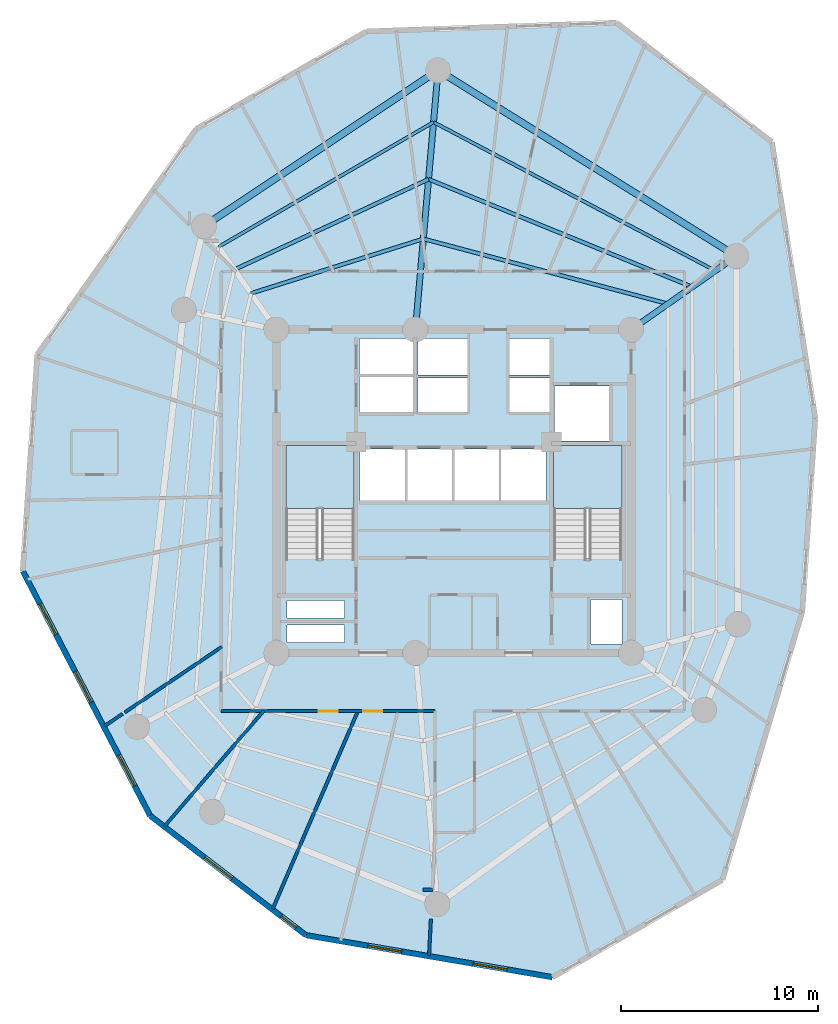
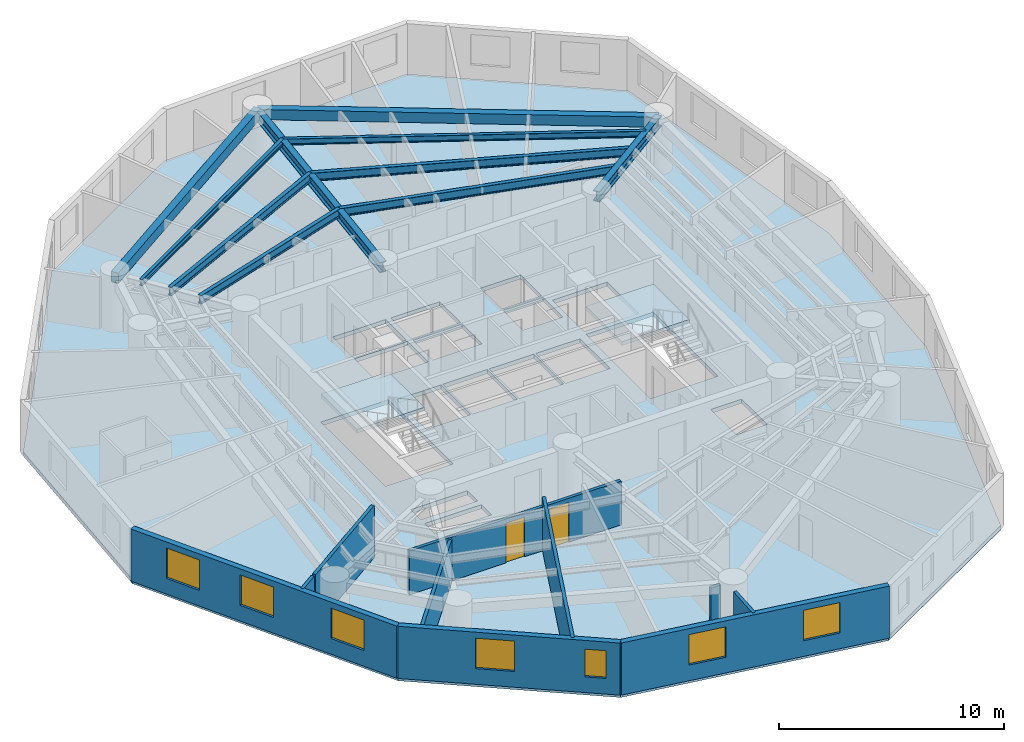
# One storey, part 2 of 8: 10 beams, 10 walls, 7 windows, 3 slabs, 2 doors, 9 openings, 2 elements without a shape of their own.
"""IFC4 building model written with IfcOpenShell, lengths in metres."""

from ifc_helpers import new_model, si_unit, direction, frame, frame_2d, origin, origin_with_axes, origin_2d, place, context, subcontext, project, spatial, polyline, rectangle, i_section, outline, extrude, source, transform, mapped, material, layer, layer_set, material_profile, profile_set, type_object, element, fill, aggregate, save


model = new_model("IFC4")

# Units and contexts
model_context = context("Model", 3, precision=1e-05, world=origin(), true_north=direction((0.0, 1.0)))
body_context = subcontext(model_context, "Body", "Model", "MODEL_VIEW")
ifc_project = project(units=[si_unit("LENGTHUNIT", "METRE"), si_unit("AREAUNIT", "SQUARE_METRE"), si_unit("VOLUMEUNIT", "CUBIC_METRE"), si_unit("PLANEANGLEUNIT", "RADIAN"), si_unit("MASSUNIT", "GRAM", prefix="KILO")], contexts=[model_context])

# Site, building, storey
site_placement = place(None, origin())
site = spatial("IfcSite", under=ifc_project, at=site_placement, CompositionType="ELEMENT")
building_placement = place(site_placement, origin())
building = spatial("IfcBuilding", under=site, at=building_placement, Name="Karkom Vertical University and Central Library", CompositionType="ELEMENT")
storey_placement = place(building_placement, frame((0.0, 0.0, 177.89990234375)))
storey = spatial("IfcBuildingStorey", under=building, at=storey_placement, Name="L51", CompositionType="ELEMENT", Elevation=177.89990234375)

# Beams
ifc_material_1 = material(Name="Precast concrete C45/55", Category="concrete")
ifc_material_profile_1 = material_profile(ifc_material_1, rectangle(XDim=0.35009765625, YDim=0.550048828125, at=origin_2d()), Name="SPB-350x550")
ifc_profile_set_1 = profile_set([ifc_material_profile_1], Name="Precast concrete C45/55")
beam_type_1 = type_object("IfcBeamType", Name="STR-BM-SP-2", PredefinedType="SPANDREL", material=ifc_profile_set_1)
shared_shape_1 = source(origin_with_axes(), body_context, "Body", "SweptSolid", [
    extrude(rectangle(XDim=0.35009765625, YDim=0.550048828125, at=origin_2d()), origin(), (0.0, 0.0, 1.0), 17.81884765625),
])
beam_1_placement = place(storey_placement, frame((42.823974609375, 38.427978515625, 2.550048828125), z_axis=(-0.848764070164, 0.528771740167, 0.0), x_axis=(-0.528771740167, -0.848764070164, 0.0)))
element("IfcBeam", 1, at=beam_1_placement, inside=storey, type_object=beam_type_1, Name="Level 51 Perimeter Spandrel Beam 02", PredefinedType="SPANDREL", context=body_context, shape_type="MappedRepresentation", body=[
    mapped(shared_shape_1, transform((0.0, 0.0, 0.0), scale=1.0)),
])
shared_shape_2 = source(origin_with_axes(), body_context, "Body", "SweptSolid", [
    extrude(rectangle(XDim=0.35009765625, YDim=0.550048828125, at=origin_2d()), origin(), (0.0, 0.0, 1.0), 14.26318359375),
])
beam_2_placement = place(storey_placement, frame((27.699951171875, 47.85009765625, 2.550048828125), z_axis=(-0.83227406272, -0.554364396876, 0.0), x_axis=(0.554364396876, -0.83227406272, 0.0)))
element("IfcBeam", 2, at=beam_2_placement, inside=storey, type_object=beam_type_1, Name="Level 51 Perimeter Spandrel Beam 03", PredefinedType="SPANDREL", context=body_context, shape_type="MappedRepresentation", body=[
    mapped(shared_shape_2, transform((0.0, 0.0, 0.0), scale=1.0)),
])
ifc_material_2 = material(Name="Steel S355", Category="steel")
ifc_material_profile_2 = material_profile(ifc_material_2, i_section(OverallWidth=0.18994140625, OverallDepth=0.449951171875, WebThickness=0.009521484375, FlangeThickness=0.0146484375, FilletRadius=0.02099609375, at=origin_2d()), Name="IPE 450")
ifc_profile_set_2 = profile_set([ifc_material_profile_2], Name="Steel S355")
beam_type_2 = type_object("IfcBeamType", Name="STR-BM-SB-IPE450", PredefinedType="BEAM", material=ifc_profile_set_2)
shared_shape_3 = source(origin_with_axes(), body_context, "Body", "SweptSolid", [
    extrude(i_section(OverallWidth=0.18994140625, OverallDepth=0.449951171875, WebThickness=0.009521484375, FlangeThickness=0.0146484375, FilletRadius=0.02099609375, at=origin_2d()), origin(), (0.0, 0.0, 1.0), 12.841552734375),
])
beam_3_placement = place(storey_placement, frame((39.36328125, 36.0048828125, 2.60009765625), z_axis=(-0.96646647674, 0.256792814032, 0.0), x_axis=(-0.256792814032, -0.96646647674, 0.0)))
element("IfcBeam", 3, at=beam_3_placement, inside=storey, type_object=beam_type_2, Name="Level 51 Secondary Composite Floor Beam 1.02", PredefinedType="BEAM", context=body_context, shape_type="MappedRepresentation", body=[
    mapped(shared_shape_3, transform((0.0, 0.0, 0.0), scale=1.0)),
])
shared_shape_4 = source(origin_with_axes(), body_context, "Body", "SweptSolid", [
    extrude(i_section(OverallWidth=0.18994140625, OverallDepth=0.449951171875, WebThickness=0.009521484375, FlangeThickness=0.0146484375, FilletRadius=0.02099609375, at=origin_2d()), origin(), (0.0, 0.0, 1.0), 9.1650390625),
])
beam_4_placement = place(storey_placement, frame((26.952392578125, 39.302490234375, 2.60009765625), z_axis=(-0.953318200449, -0.301967562319, 0.0), x_axis=(0.301967562319, -0.953318200449, 0.0)))
element("IfcBeam", 4, at=beam_4_placement, inside=storey, type_object=beam_type_2, Name="Level 51 Secondary Composite Floor Beam 1.03", PredefinedType="BEAM", context=body_context, shape_type="MappedRepresentation", body=[
    mapped(shared_shape_4, transform((0.0, 0.0, 0.0), scale=1.0)),
])
shared_shape_5 = source(origin_with_axes(), body_context, "Body", "SweptSolid", [
    extrude(i_section(OverallWidth=0.18994140625, OverallDepth=0.449951171875, WebThickness=0.009521484375, FlangeThickness=0.0146484375, FilletRadius=0.02099609375, at=origin_2d()), origin(), (0.0, 0.0, 1.0), 14.4443359375),
])
beam_5_placement = place(storey_placement, frame((40.587890625, 36.8623046875, 2.60009765625), z_axis=(-0.925675328736, 0.378318894281, 0.0), x_axis=(-0.378318894281, -0.925675328736, 0.0)))
element("IfcBeam", 5, at=beam_5_placement, inside=storey, type_object=beam_type_2, Name="Level 51 Secondary Composite Floor Beam 2.02", PredefinedType="BEAM", context=body_context, shape_type="MappedRepresentation", body=[
    mapped(shared_shape_5, transform((0.0, 0.0, 0.0), scale=1.0)),
])
shared_shape_6 = source(origin_with_axes(), body_context, "Body", "SweptSolid", [
    extrude(i_section(OverallWidth=0.18994140625, OverallDepth=0.449951171875, WebThickness=0.009521484375, FlangeThickness=0.0146484375, FilletRadius=0.02099609375, at=origin_2d()), origin(), (0.0, 0.0, 1.0), 10.86181640625),
])
beam_6_placement = place(storey_placement, frame((27.217041015625, 42.326904296875, 2.60009765625), z_axis=(-0.90649871419, -0.422208575436, 0.0), x_axis=(0.422208575436, -0.90649871419, 0.0)))
element("IfcBeam", 6, at=beam_6_placement, inside=storey, type_object=beam_type_2, Name="Level 51 Secondary Composite Floor Beam 2.03", PredefinedType="BEAM", context=body_context, shape_type="MappedRepresentation", body=[
    mapped(shared_shape_6, transform((0.0, 0.0, 0.0), scale=1.0)),
])
ifc_material_profile_3 = material_profile(ifc_material_2, i_section(OverallWidth=0.159912109375, OverallDepth=0.330078125, WebThickness=0.007568359375, FlangeThickness=0.011474609375, FilletRadius=0.01806640625, at=origin_2d()), Name="IPE 330")
ifc_profile_set_3 = profile_set([ifc_material_profile_3], Name="Steel S355")
beam_type_3 = type_object("IfcBeamType", Name="STR-BM-SB-IPE330", PredefinedType="BEAM", material=ifc_profile_set_3)
shared_shape_7 = source(origin_with_axes(), body_context, "Body", "SweptSolid", [
    extrude(i_section(OverallWidth=0.159912109375, OverallDepth=0.330078125, WebThickness=0.007568359375, FlangeThickness=0.011474609375, FilletRadius=0.01806640625, at=origin_2d()), origin(), (0.0, 0.0, 1.0), 16.155517578125),
])
beam_7_placement = place(storey_placement, frame((41.75927734375, 37.682373046875, 2.66015625), z_axis=(-0.884486447848, 0.466565883423, 0.0), x_axis=(-0.466565883423, -0.884486447848, 0.0)))
element("IfcBeam", 7, at=beam_7_placement, inside=storey, type_object=beam_type_3, Name="Level 51 Secondary Composite Floor Beam 3.02", PredefinedType="BEAM", context=body_context, shape_type="MappedRepresentation", body=[
    mapped(shared_shape_7, transform((0.0, 0.0, 0.0), scale=1.0)),
])
shared_shape_8 = source(origin_with_axes(), body_context, "Body", "SweptSolid", [
    extrude(i_section(OverallWidth=0.159912109375, OverallDepth=0.330078125, WebThickness=0.007568359375, FlangeThickness=0.011474609375, FilletRadius=0.01806640625, at=origin_2d()), origin(), (0.0, 0.0, 1.0), 12.6083984375),
])
beam_8_placement = place(storey_placement, frame((27.469970703125, 45.219970703125, 2.66015625), z_axis=(-0.865038920595, -0.50170475965, 0.0), x_axis=(0.50170475965, -0.865038920595, 0.0)))
element("IfcBeam", 8, at=beam_8_placement, inside=storey, type_object=beam_type_3, Name="Level 51 Secondary Composite Floor Beam 3.03", PredefinedType="BEAM", context=body_context, shape_type="MappedRepresentation", body=[
    mapped(shared_shape_8, transform((0.0, 0.0, 0.0), scale=1.0)),
])
ifc_material_profile_4 = material_profile(ifc_material_2, i_section(OverallWidth=0.300048828125, OverallDepth=0.550048828125, WebThickness=0.014892578125, FlangeThickness=0.029052734375, FilletRadius=0.027099609375, at=origin_2d()), Name="HE 550 B")
ifc_profile_set_4 = profile_set([ifc_material_profile_4], Name="Steel S355")
beam_type_4 = type_object("IfcBeamType", Name="STR-BM-SB-HE550", PredefinedType="USERDEFINED", material=ifc_profile_set_4)
shared_shape_9 = source(origin_with_axes(), body_context, "Body", "SweptSolid", [
    extrude(i_section(OverallWidth=0.300048828125, OverallDepth=0.550048828125, WebThickness=0.014892578125, FlangeThickness=0.029052734375, FilletRadius=0.027099609375, at=origin_2d()), origin(), (0.0, 0.0, 1.0), 6.49951171875),
])
beam_9_placement = place(storey_placement, frame((37.5, 34.699951171875, 2.550048828125), z_axis=(0.819141909878, 0.573590909517, 0.0), x_axis=(-0.573590909517, 0.819141909878, 0.0)))
element("IfcBeam", 9, at=beam_9_placement, inside=storey, type_object=beam_type_4, Name="Level 51 Radial Frame Girder 02", ObjectType="GIRDER", PredefinedType="USERDEFINED", context=body_context, shape_type="MappedRepresentation", body=[
    mapped(shared_shape_9, transform((0.0, 0.0, 0.0), scale=1.0)),
])
shared_shape_10 = source(origin_with_axes(), body_context, "Body", "SweptSolid", [
    extrude(i_section(OverallWidth=0.300048828125, OverallDepth=0.550048828125, WebThickness=0.014892578125, FlangeThickness=0.029052734375, FilletRadius=0.027099609375, at=origin_2d()), origin(), (0.0, 0.0, 1.0), 13.200439453125),
])
beam_10_placement = place(storey_placement, frame((26.550048828125, 34.699951171875, 2.550048828125), z_axis=(0.087111657164, 0.996198554098, 0.0), x_axis=(-0.996198554098, 0.087111657164, 0.0)))
element("IfcBeam", 10, at=beam_10_placement, inside=storey, type_object=beam_type_4, Name="Level 51 Radial Frame Girder 03", ObjectType="GIRDER", PredefinedType="USERDEFINED", context=body_context, shape_type="MappedRepresentation", body=[
    mapped(shared_shape_10, transform((0.0, 0.0, 0.0), scale=1.0)),
])

# Stair, slab
ifc_material_3 = material(Name="Concrete C45/55", Category="concrete")
stair_type = type_object("IfcStairType", Name="INT-STR-ST-MAIN", PredefinedType="HALF_TURN_STAIR", material=ifc_material_3)
stair_1_placement = place(storey_placement, origin())
stair_1 = element("IfcStair", 11, at=stair_1_placement, inside=storey, type_object=stair_type, Name="Level 51 Tower Protected Exit Stair ST-1", PredefinedType="HALF_TURN_STAIR")
ifc_layer_1 = layer(ifc_material_3, 0.199951171875)
ifc_layer_set_1 = layer_set([ifc_layer_1], Name="Concrete C45/55")
slab_type_1 = type_object("IfcSlabType", Name="INT-SLB-LANDING", PredefinedType="LANDING", material=ifc_layer_set_1)
slab_1_placement = place(storey_placement, frame((0.0, 0.0, 1.3251953125)))
slab_1 = element("IfcSlab", 12, at=slab_1_placement, type_object=slab_type_1, Name="ST-1 landing 1", PredefinedType="LANDING", context=body_context, shape_type="SweptSolid", body=[
    extrude(outline(polyline([(23.43994140625, 25.6298828125), (23.43994140625, 28.820068359375), (19.97998046875, 28.820068359375), (19.97998046875, 25.6298828125), (23.43994140625, 25.6298828125)])), origin(), (0.0, 0.0, 1.0), 0.199951171875),
])
aggregate(stair_1, [slab_1])

stair_2_placement = place(storey_placement, origin())
stair_2 = element("IfcStair", 13, at=stair_2_placement, inside=storey, type_object=stair_type, Name="Level 51 Tower Protected Exit Stair ST-2", PredefinedType="HALF_TURN_STAIR")
slab_2_placement = place(storey_placement, frame((0.0, 0.0, 1.3251953125)))
slab_2 = element("IfcSlab", 14, at=slab_2_placement, type_object=slab_type_1, Name="ST-2 landing 1", PredefinedType="LANDING", context=body_context, shape_type="SweptSolid", body=[
    extrude(outline(polyline([(37.02001953125, 25.6298828125), (37.02001953125, 28.820068359375), (33.56005859375, 28.820068359375), (33.56005859375, 25.6298828125), (37.02001953125, 25.6298828125)])), origin(), (0.0, 0.0, 1.0), 0.199951171875),
])
aggregate(stair_2, [slab_2])

# Slab
ifc_layer_2 = layer(ifc_material_3, 0.22509765625)
ifc_layer_set_2 = layer_set([ifc_layer_2], Name="Concrete C45/55")
slab_type_2 = type_object("IfcSlabType", Name="STR-SLB-FLR-225", PredefinedType="FLOOR", material=ifc_layer_set_2)
slab_3_placement = place(storey_placement, frame((0.0, 0.0, -0.224853515625)))
element("IfcSlab", 15, at=slab_3_placement, inside=storey, type_object=slab_type_2, Name="Level 51 Tower Structural Floor Slab", PredefinedType="FLOOR", context=body_context, shape_type="SweptSolid", body=[
    extrude(outline(polyline([(7.372802734375, 33.436279296875), (6.635498046875, 22.44970703125), (13.09375, 10.0400390625), (20.99609375, 3.979736328125), (33.49609375, 1.85009765625), (42.119140625, 6.789306640625), (46.169677734375, 20.38720703125), (46.828125, 30.196533203125), (44.631103515625, 44.2138671875), (36.74560546875, 50.26123046875), (24.072998046875, 49.821044921875), (15.431640625, 44.87109375), (7.372802734375, 33.436279296875)]), holes=[polyline([(19.97998046875, 23.0849609375), (23.43994140625, 23.0849609375), (23.43994140625, 28.820068359375), (19.97998046875, 28.820068359375), (19.97998046875, 23.0849609375)]), polyline([(33.56005859375, 23.0849609375), (37.02001953125, 23.0849609375), (37.02001953125, 28.820068359375), (33.56005859375, 28.820068359375), (33.56005859375, 23.0849609375)]), polyline([(23.75, 26.0), (26.030029296875, 26.0), (26.030029296875, 28.64990234375), (23.75, 28.64990234375), (23.75, 26.0)]), polyline([(26.1298828125, 26.0), (28.409912109375, 26.0), (28.409912109375, 28.64990234375), (26.1298828125, 28.64990234375), (26.1298828125, 26.0)]), polyline([(28.510009765625, 26.0), (30.7900390625, 26.0), (30.7900390625, 28.64990234375), (28.510009765625, 28.64990234375), (28.510009765625, 26.0)]), polyline([(30.889892578125, 26.0), (33.169921875, 26.0), (33.169921875, 28.64990234375), (30.889892578125, 28.64990234375), (30.889892578125, 26.0)]), polyline([(26.679931640625, 30.5), (29.199951171875, 30.5), (29.199951171875, 32.25), (26.679931640625, 32.25), (26.679931640625, 30.5)]), polyline([(26.679931640625, 32.39990234375), (29.199951171875, 32.39990234375), (29.199951171875, 34.25), (26.679931640625, 34.25), (26.679931640625, 32.39990234375)]), polyline([(31.300048828125, 30.5), (33.35009765625, 30.5), (33.35009765625, 32.25), (31.300048828125, 32.25), (31.300048828125, 30.5)]), polyline([(31.300048828125, 32.39990234375), (33.35009765625, 32.39990234375), (33.35009765625, 34.25), (31.300048828125, 34.25), (31.300048828125, 32.39990234375)]), polyline([(23.719970703125, 30.47998046875), (26.429931640625, 30.47998046875), (26.429931640625, 32.320068359375), (23.719970703125, 32.320068359375), (23.719970703125, 30.47998046875)]), polyline([(23.719970703125, 32.419921875), (26.429931640625, 32.419921875), (26.429931640625, 34.260009765625), (23.719970703125, 34.260009765625), (23.719970703125, 32.419921875)]), polyline([(33.60009765625, 29.050048828125), (36.39990234375, 29.050048828125), (36.39990234375, 31.85009765625), (33.60009765625, 31.85009765625), (33.60009765625, 29.050048828125)]), polyline([(20.050048828125, 18.820068359375), (22.949951171875, 18.820068359375), (22.949951171875, 19.719970703125), (20.050048828125, 19.719970703125), (20.050048828125, 18.820068359375)]), polyline([(20.050048828125, 20.06005859375), (22.949951171875, 20.06005859375), (22.949951171875, 20.9599609375), (20.050048828125, 20.9599609375), (20.050048828125, 20.06005859375)]), polyline([(35.4599609375, 18.760009765625), (37.0400390625, 18.760009765625), (37.0400390625, 21.010009765625), (35.4599609375, 21.010009765625), (35.4599609375, 18.760009765625)])]), origin(), (0.0, 0.0, 1.0), 0.224853515625),
])

# Wall, openings, windows
ifc_material_4 = material(Name="Brick-faced precast concrete C45/55", Category="masonry")
ifc_layer_3 = layer(ifc_material_4, 0.280029296875)
ifc_layer_set_3 = layer_set([ifc_layer_3], Name="Brick-faced precast concrete C45/55")
wall_type_1 = type_object("IfcWallType", Name="ENV-WL-BRK-280", PredefinedType="SOLIDWALL", material=ifc_layer_set_3)
wall_1_placement = place(storey_placement, frame((6.635498046875, 22.44970703125, 0.0), z_axis=(0.0, 0.0, 1.0), x_axis=(0.461646684745, -0.887063886349, 0.0)))
wall_1 = element("IfcWall", 16, at=wall_1_placement, inside=storey, type_object=wall_type_1, Name="Level 51 Brick-Faced Precast Facade Wall 02", PredefinedType="SOLIDWALL", context=body_context, shape_type="SweptSolid", body=[
    extrude(rectangle(XDim=13.989501953125, YDim=0.280029296875, at=frame_2d((6.99462890625, 0.0))), origin(), (0.0, 0.0, 1.0), 2.8251953125),
])
opening_1_placement = place(wall_1_placement, frame((1.87548828125, 0.0, 0.85009765625)))
opening_1 = element("IfcOpeningElement", 17, at=opening_1_placement, cuts=wall_1, Name="Opening WN-08", PredefinedType="OPENING", context=body_context, shape_type="SweptSolid", body=[
    extrude(rectangle(XDim=1.75, YDim=1.64990234375, at=frame_2d((0.875, 0.824951171875))), frame((0.0, 0.14990234375, 0.0), z_axis=(0.0, -1.0, 0.0), x_axis=(1.0, 0.0, 0.0)), (0.0, 0.0, 1.0), 0.300048828125),
])
opening_2_placement = place(wall_1_placement, frame((5.752197265625, 0.0, 0.85009765625)))
opening_2 = element("IfcOpeningElement", 18, at=opening_2_placement, cuts=wall_1, Name="Opening WN-08", PredefinedType="OPENING", context=body_context, shape_type="SweptSolid", body=[
    extrude(rectangle(XDim=1.75, YDim=1.64990234375, at=frame_2d((0.875, 0.824951171875))), frame((0.0, 0.14990234375, 0.0), z_axis=(0.0, -1.0, 0.0), x_axis=(1.0, 0.0, 0.0)), (0.0, 0.0, 1.0), 0.300048828125),
])
opening_3_placement = place(wall_1_placement, frame((10.53271484375, 0.0, 0.85009765625)))
opening_3 = element("IfcOpeningElement", 19, at=opening_3_placement, cuts=wall_1, Name="Opening WN-08", PredefinedType="OPENING", context=body_context, shape_type="SweptSolid", body=[
    extrude(rectangle(XDim=1.75, YDim=1.64990234375, at=frame_2d((0.875, 0.824951171875))), frame((0.0, 0.14990234375, 0.0), z_axis=(0.0, -1.0, 0.0), x_axis=(1.0, 0.0, 0.0)), (0.0, 0.0, 1.0), 0.300048828125),
])
ifc_material_5 = material(Name="Aluminium thermal-break frame with solar-control IGU", Category="aluminium")
window_type_1 = type_object("IfcWindowType", Name="ENV-WIN-WN-08", PartitioningType="SINGLE_PANEL", PredefinedType="WINDOW", material=ifc_material_5)
shared_shape_11 = source(origin_with_axes(), body_context, "Body", "SweptSolid", [
    extrude(rectangle(XDim=1.75, YDim=1.64990234375, at=frame_2d((0.875, 0.824951171875))), frame((0.0, 0.030029296875, 0.0), z_axis=(0.0, -1.0, 0.0), x_axis=(1.0, 0.0, 0.0)), (0.0, 0.0, 1.0), 0.06005859375),
])
window_1_placement = place(opening_1_placement, origin())
window_1 = element("IfcWindow", 20, at=window_1_placement, inside=storey, type_object=window_type_1, Name="Level 51 Punched Window 2.1", OverallHeight=1.64990234375, OverallWidth=1.75, PartitioningType="SINGLE_PANEL", PredefinedType="WINDOW", context=body_context, shape_type="MappedRepresentation", body=[
    mapped(shared_shape_11, transform((0.0, 0.0, 0.0), scale=1.0)),
])
fill(opening_1, window_1)
window_2_placement = place(opening_2_placement, origin())
window_2 = element("IfcWindow", 21, at=window_2_placement, inside=storey, type_object=window_type_1, Name="Level 51 Punched Window 2.2", OverallHeight=1.64990234375, OverallWidth=1.75, PartitioningType="SINGLE_PANEL", PredefinedType="WINDOW", context=body_context, shape_type="MappedRepresentation", body=[
    mapped(shared_shape_11, transform((0.0, 0.0, 0.0), scale=1.0)),
])
fill(opening_2, window_2)
window_3_placement = place(opening_3_placement, origin())
window_3 = element("IfcWindow", 22, at=window_3_placement, inside=storey, type_object=window_type_1, Name="Level 51 Punched Window 2.3", OverallHeight=1.64990234375, OverallWidth=1.75, PartitioningType="SINGLE_PANEL", PredefinedType="WINDOW", context=body_context, shape_type="MappedRepresentation", body=[
    mapped(shared_shape_11, transform((0.0, 0.0, 0.0), scale=1.0)),
])
fill(opening_3, window_3)

wall_2_placement = place(storey_placement, frame((13.09375, 10.0400390625, 0.0), z_axis=(0.0, 0.0, 1.0), x_axis=(0.793517177481, -0.608547852713, 0.0)))
wall_2 = element("IfcWall", 23, at=wall_2_placement, inside=storey, type_object=wall_type_1, Name="Level 51 Brick-Faced Precast Facade Wall 03", PredefinedType="SOLIDWALL", context=body_context, shape_type="SweptSolid", body=[
    extrude(rectangle(XDim=9.958740234375, YDim=0.280029296875, at=frame_2d((4.9794921875, 0.0))), origin(), (0.0, 0.0, 1.0), 2.8251953125),
])
opening_4_placement = place(wall_2_placement, frame((3.47998046875, 0.0, 0.85009765625)))
opening_4 = element("IfcOpeningElement", 24, at=opening_4_placement, cuts=wall_2, Name="Opening WN-08", PredefinedType="OPENING", context=body_context, shape_type="SweptSolid", body=[
    extrude(rectangle(XDim=1.75, YDim=1.64990234375, at=frame_2d((0.875, 0.824951171875))), frame((0.0, 0.14990234375, 0.0), z_axis=(0.0, -1.0, 0.0), x_axis=(1.0, 0.0, 0.0)), (0.0, 0.0, 1.0), 0.300048828125),
])
opening_5_placement = place(wall_2_placement, frame((8.3759765625, 0.0, 0.85009765625)))
opening_5 = element("IfcOpeningElement", 25, at=opening_5_placement, cuts=wall_2, Name="Opening WN-12", PredefinedType="OPENING", context=body_context, shape_type="SweptSolid", body=[
    extrude(rectangle(XDim=0.949951171875, YDim=1.5, at=frame_2d((0.47509765625, 0.75))), frame((0.0, 0.14990234375, 0.0), z_axis=(0.0, -1.0, 0.0), x_axis=(1.0, 0.0, 0.0)), (0.0, 0.0, 1.0), 0.300048828125),
])
window_type_2 = type_object("IfcWindowType", Name="ENV-WIN-WN-12", PartitioningType="SINGLE_PANEL", PredefinedType="WINDOW", material=ifc_material_5)
shared_shape_12 = source(origin_with_axes(), body_context, "Body", "SweptSolid", [
    extrude(rectangle(XDim=0.949951171875, YDim=1.5, at=frame_2d((0.47509765625, 0.75))), frame((0.0, 0.030029296875, 0.0), z_axis=(0.0, -1.0, 0.0), x_axis=(1.0, 0.0, 0.0)), (0.0, 0.0, 1.0), 0.06005859375),
])
window_4_placement = place(opening_5_placement, origin())
window_4 = element("IfcWindow", 26, at=window_4_placement, inside=storey, type_object=window_type_2, Name="Level 51 Punched Window 3.2", OverallHeight=1.5, OverallWidth=0.949951171875, PartitioningType="SINGLE_PANEL", PredefinedType="WINDOW", context=body_context, shape_type="MappedRepresentation", body=[
    mapped(shared_shape_12, transform((0.0, 0.0, 0.0), scale=1.0)),
])
fill(opening_5, window_4)
window_5_placement = place(opening_4_placement, origin())
window_5 = element("IfcWindow", 27, at=window_5_placement, inside=storey, type_object=window_type_1, Name="Level 51 Punched Window 3.1", OverallHeight=1.64990234375, OverallWidth=1.75, PartitioningType="SINGLE_PANEL", PredefinedType="WINDOW", context=body_context, shape_type="MappedRepresentation", body=[
    mapped(shared_shape_11, transform((0.0, 0.0, 0.0), scale=1.0)),
])
fill(opening_4, window_5)

wall_3_placement = place(storey_placement, frame((20.99609375, 3.979736328125, 0.0), z_axis=(0.0, 0.0, 1.0), x_axis=(0.985795339536, -0.16795103021, 0.0)))
wall_3 = element("IfcWall", 28, at=wall_3_placement, inside=storey, type_object=wall_type_1, Name="Level 51 Brick-Faced Precast Facade Wall 04", PredefinedType="SOLIDWALL", context=body_context, shape_type="SweptSolid", body=[
    extrude(rectangle(XDim=12.68017578125, YDim=0.280029296875, at=frame_2d((6.340087890625, 0.0))), origin(), (0.0, 0.0, 1.0), 2.8251953125),
])
opening_6_placement = place(wall_3_placement, frame((3.182861328125, 0.0, 0.85009765625)))
opening_6 = element("IfcOpeningElement", 29, at=opening_6_placement, cuts=wall_3, Name="Opening WN-08", PredefinedType="OPENING", context=body_context, shape_type="SweptSolid", body=[
    extrude(rectangle(XDim=1.75, YDim=1.64990234375, at=frame_2d((0.875, 0.824951171875))), frame((0.0, 0.14990234375, 0.0), z_axis=(0.0, -1.0, 0.0), x_axis=(1.0, 0.0, 0.0)), (0.0, 0.0, 1.0), 0.300048828125),
])
opening_7_placement = place(wall_3_placement, frame((8.598388671875, 0.0, 0.85009765625)))
opening_7 = element("IfcOpeningElement", 30, at=opening_7_placement, cuts=wall_3, Name="Opening WN-08", PredefinedType="OPENING", context=body_context, shape_type="SweptSolid", body=[
    extrude(rectangle(XDim=1.75, YDim=1.64990234375, at=frame_2d((0.875, 0.824951171875))), frame((0.0, 0.14990234375, 0.0), z_axis=(0.0, -1.0, 0.0), x_axis=(1.0, 0.0, 0.0)), (0.0, 0.0, 1.0), 0.300048828125),
])
window_6_placement = place(opening_6_placement, origin())
window_6 = element("IfcWindow", 31, at=window_6_placement, inside=storey, type_object=window_type_1, Name="Level 51 Punched Window 4.1", OverallHeight=1.64990234375, OverallWidth=1.75, PartitioningType="SINGLE_PANEL", PredefinedType="WINDOW", context=body_context, shape_type="MappedRepresentation", body=[
    mapped(shared_shape_11, transform((0.0, 0.0, 0.0), scale=1.0)),
])
fill(opening_6, window_6)
window_7_placement = place(opening_7_placement, origin())
window_7 = element("IfcWindow", 32, at=window_7_placement, inside=storey, type_object=window_type_1, Name="Level 51 Punched Window 4.2", OverallHeight=1.64990234375, OverallWidth=1.75, PartitioningType="SINGLE_PANEL", PredefinedType="WINDOW", context=body_context, shape_type="MappedRepresentation", body=[
    mapped(shared_shape_11, transform((0.0, 0.0, 0.0), scale=1.0)),
])
fill(opening_7, window_7)

# Wall
ifc_material_6 = material(Name="Insulated metal-stud drywall 160mm", Category="gypsum")
ifc_layer_4 = layer(ifc_material_6, 0.159912109375)
ifc_layer_set_4 = layer_set([ifc_layer_4], Name="Insulated metal-stud drywall 160mm")
wall_type_2 = type_object("IfcWallType", Name="INT-WL-COR-160", PredefinedType="PARTITIONING", material=ifc_layer_set_4)
wall_4_placement = place(storey_placement, frame((23.645263671875, 15.377685546875, 0.0), z_axis=(0.0, 0.0, 1.0), x_axis=(-0.395493572116, -0.918468744387, 0.0)))
element("IfcWall", 33, at=wall_4_placement, inside=storey, type_object=wall_type_2, Name="Level 51 Interior Partition Wall L51-PW-007", PredefinedType="PARTITIONING", context=body_context, shape_type="SweptSolid", body=[
    extrude(rectangle(XDim=10.9638671875, YDim=0.159912109375, at=frame_2d((5.48193359375, 0.0))), origin(), (0.0, 0.0, 1.0), 2.8251953125),
])

# Wall, openings, doors
wall_5_placement = place(storey_placement, frame((27.550048828125, 15.35009765625, 0.0), z_axis=(0.0, 0.0, 1.0), x_axis=(-1.0, 0.0, 0.0)))
wall_5 = element("IfcWall", 34, at=wall_5_placement, inside=storey, type_object=wall_type_2, Name="Level 51 Interior Partition Wall L51-CORW-CW-001", PredefinedType="PARTITIONING", context=body_context, shape_type="SweptSolid", body=[
    extrude(rectangle(XDim=10.85009765625, YDim=0.159912109375, at=frame_2d((5.425048828125, 0.0))), origin(), (0.0, 0.0, 1.0), 2.375),
])
opening_8_placement = place(wall_5_placement, frame((4.949951171875, 0.0, 0.0)))
opening_8 = element("IfcOpeningElement", 35, at=opening_8_placement, cuts=wall_5, Name="Opening D-RM1", PredefinedType="OPENING", context=body_context, shape_type="SweptSolid", body=[
    extrude(rectangle(XDim=0.949951171875, YDim=2.14990234375, at=frame_2d((0.47509765625, 1.074951171875))), frame((0.0, 0.08984375, 0.0), z_axis=(0.0, -1.0, 0.0), x_axis=(1.0, 0.0, 0.0)), (0.0, 0.0, 1.0), 0.179931640625),
])
opening_9_placement = place(wall_5_placement, frame((2.6826171875, 0.0, 0.0)))
opening_9 = element("IfcOpeningElement", 36, at=opening_9_placement, cuts=wall_5, Name="Opening FD-RM2", PredefinedType="OPENING", context=body_context, shape_type="SweptSolid", body=[
    extrude(rectangle(XDim=0.9599609375, YDim=2.14990234375, at=frame_2d((0.47998046875, 1.074951171875))), frame((0.0, 0.08984375, 0.0), z_axis=(0.0, -1.0, 0.0), x_axis=(1.0, 0.0, 0.0)), (0.0, 0.0, 1.0), 0.179931640625),
])
ifc_material_7 = material(Name="Fire-rated oak veneer door", Category="wood")
door_type_1 = type_object("IfcDoorType", Name="INT-DR-FRM2", OperationType="NOTDEFINED", PredefinedType="DOOR", material=ifc_material_7)
shared_shape_13 = source(origin_with_axes(), body_context, "Body", "SweptSolid", [
    extrude(rectangle(XDim=0.9599609375, YDim=2.14990234375, at=frame_2d((0.47998046875, 1.074951171875))), frame((0.0, 0.02490234375, 0.0), z_axis=(0.0, -1.0, 0.0), x_axis=(1.0, 0.0, 0.0)), (0.0, 0.0, 1.0), 0.050048828125),
])
door_1_placement = place(opening_9_placement, origin())
door_1 = element("IfcDoor", 37, at=door_1_placement, inside=storey, type_object=door_type_1, Name="Level 51 Room Entry Door 040", OperationType="SINGLE_SWING_RIGHT", OverallHeight=2.14990234375, OverallWidth=0.9599609375, PredefinedType="DOOR", context=body_context, shape_type="MappedRepresentation", body=[
    mapped(shared_shape_13, transform((0.0, 0.0, 0.0), scale=1.0)),
])
fill(opening_9, door_1)
ifc_material_8 = material(Name="Solid-core oak veneer door", Category="wood")
door_type_2 = type_object("IfcDoorType", Name="INT-DR-RM1", OperationType="NOTDEFINED", PredefinedType="DOOR", material=ifc_material_8)
shared_shape_14 = source(origin_with_axes(), body_context, "Body", "SweptSolid", [
    extrude(rectangle(XDim=0.949951171875, YDim=2.14990234375, at=frame_2d((0.47509765625, 1.074951171875))), frame((0.0, 0.02490234375, 0.0), z_axis=(0.0, -1.0, 0.0), x_axis=(1.0, 0.0, 0.0)), (0.0, 0.0, 1.0), 0.050048828125),
])
door_2_placement = place(opening_8_placement, origin())
door_2 = element("IfcDoor", 38, at=door_2_placement, inside=storey, type_object=door_type_2, Name="Level 51 Room Entry Door 030", OperationType="SINGLE_SWING_LEFT", OverallHeight=2.14990234375, OverallWidth=0.949951171875, PredefinedType="DOOR", context=body_context, shape_type="MappedRepresentation", body=[
    mapped(shared_shape_14, transform((0.0, 0.0, 0.0), scale=1.0)),
])
fill(opening_8, door_2)

# Walls
wall_6_placement = place(storey_placement, frame((18.863037109375, 15.372802734375, 0.0), z_axis=(0.0, 0.0, 1.0), x_axis=(-0.651589584329, -0.758571693114, 0.0)))
element("IfcWall", 39, at=wall_6_placement, inside=storey, type_object=wall_type_2, Name="Level 51 Interior Partition Wall L51-PW-006", PredefinedType="PARTITIONING", context=body_context, shape_type="SweptSolid", body=[
    extrude(rectangle(XDim=7.729248046875, YDim=0.159912109375, at=frame_2d((3.86474609375, 0.0))), origin(), (0.0, 0.0, 1.0), 2.275146484375),
])
wall_7_placement = place(storey_placement, frame((16.7373046875, 18.616943359375, 0.0), z_axis=(0.0, 0.0, 1.0), x_axis=(-0.828319262198, -0.560256369774, 0.0)))
element("IfcWall", 40, at=wall_7_placement, inside=storey, type_object=wall_type_2, Name="Level 51 Interior Partition Wall L51-PW-004", PredefinedType="PARTITIONING", context=body_context, shape_type="SweptSolid", body=[
    extrude(rectangle(XDim=5.948974609375, YDim=0.159912109375, at=frame_2d((2.974609375, 0.0))), origin(), (0.0, 0.0, 1.0), 2.8251953125),
])
wall_8_placement = place(storey_placement, frame((27.3359375, 4.80908203125, 0.0), z_axis=(0.0, 0.0, 1.0), x_axis=(-0.050790681871, -0.998709320391, 0.0)))
element("IfcWall", 41, at=wall_8_placement, inside=storey, type_object=wall_type_2, Name="Level 51 Interior Partition Wall L51-PW-011", PredefinedType="PARTITIONING", context=body_context, shape_type="SweptSolid", body=[
    extrude(rectangle(XDim=1.869873046875, YDim=0.159912109375, at=frame_2d((0.93505859375, 0.0))), origin(), (0.0, 0.0, 1.0), 2.8251953125),
])
wall_9_placement = place(storey_placement, frame((11.696044921875, 15.207275390625, 0.0), z_axis=(0.0, 0.0, 1.0), x_axis=(-0.828353560068, -0.560205658239, 0.0)))
element("IfcWall", 42, at=wall_9_placement, inside=storey, type_object=wall_type_2, Name="Level 51 Interior Partition Wall L51-PW-005", PredefinedType="PARTITIONING", context=body_context, shape_type="SweptSolid", body=[
    extrude(rectangle(XDim=1.092529296875, YDim=0.159912109375, at=frame_2d((0.54638671875, 0.0))), origin(), (0.0, 0.0, 1.0), 2.8251953125),
])
wall_10_placement = place(storey_placement, frame((27.411376953125, 6.2890625, 0.0), z_axis=(0.0, 0.0, 1.0), x_axis=(-1.0, 0.0, 0.0)))
element("IfcWall", 43, at=wall_10_placement, inside=storey, type_object=wall_type_2, Name="Level 51 Interior Partition Wall L51-PW-010", PredefinedType="PARTITIONING", context=body_context, shape_type="SweptSolid", body=[
    extrude(rectangle(XDim=0.4853515625, YDim=0.159912109375, at=frame_2d((0.24267578125, 0.0))), origin(), (0.0, 0.0, 1.0), 2.275146484375),
])

save(model, "model.ifc")
